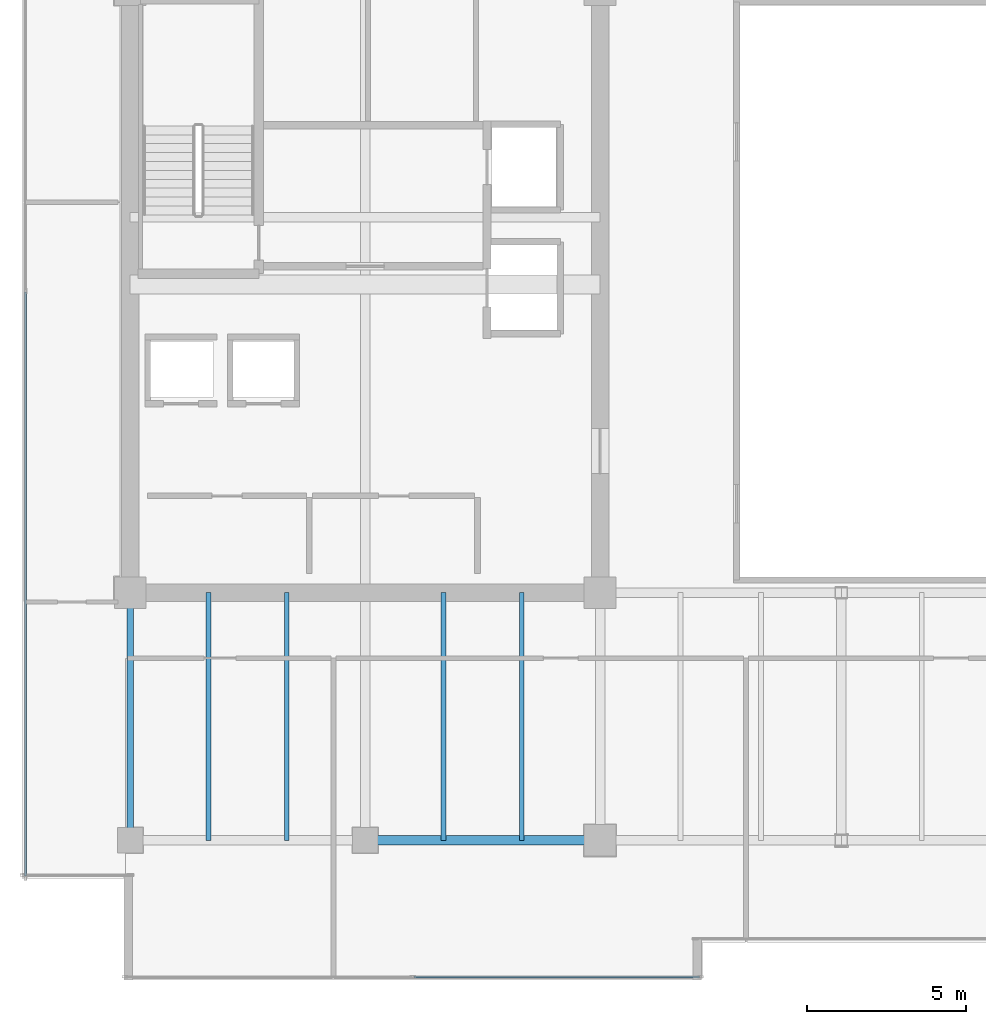
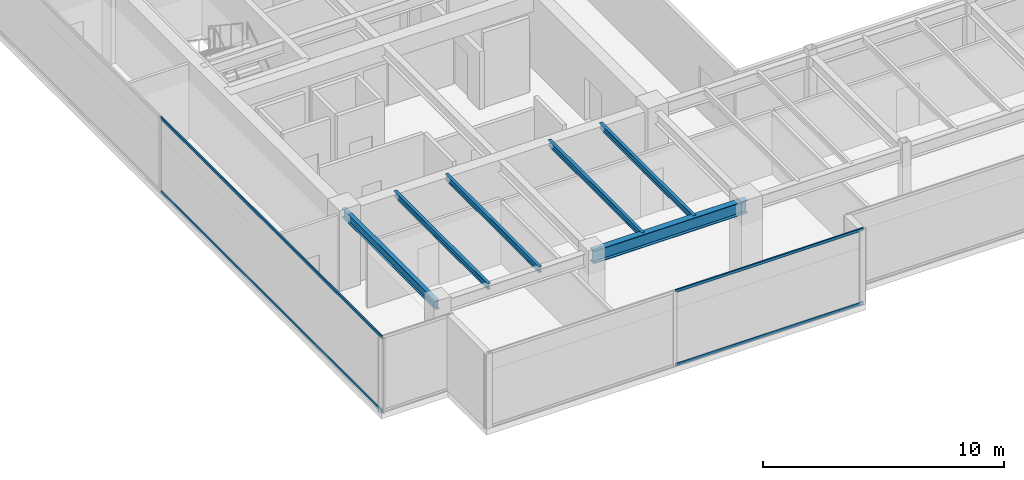
# One storey, part 6 of 35: 6 beams, 4 members, 2 elements without a shape of their own.
"""IFC4 building model written with IfcOpenShell, lengths in metres."""

from ifc_helpers import new_model, si_unit, direction, frame, origin, origin_2d, place, context, subcontext, project, spatial, hollow_rectangle, i_section, extrude, source, transform, mapped, material, layer, layer_set, material_profile, profile_set, type_object, type_shapes, element, aggregate, save


model = new_model("IFC4")

# Units and contexts
model_context = context("Model", 3, precision=1e-05, world=origin(), true_north=direction((0.0, 1.0)))
body_context = subcontext(model_context, "Body", "Model", "MODEL_VIEW")
ifc_project = project(units=[si_unit("LENGTHUNIT", "METRE"), si_unit("AREAUNIT", "SQUARE_METRE"), si_unit("VOLUMEUNIT", "CUBIC_METRE"), si_unit("PLANEANGLEUNIT", "RADIAN"), si_unit("MASSUNIT", "GRAM", prefix="KILO")], contexts=[model_context])

# Site, building, storey
site_placement = place(None, origin())
site = spatial("IfcSite", under=ifc_project, at=site_placement, CompositionType="ELEMENT")
building_placement = place(site_placement, origin())
building = spatial("IfcBuilding", under=site, at=building_placement, Name="Haelvirn Gate Laboratories", CompositionType="ELEMENT")
storey_placement = place(building_placement, frame((0.0, 0.0, 221.89990234375)))
storey = spatial("IfcBuildingStorey", under=building, at=storey_placement, Name="L53", CompositionType="ELEMENT", Elevation=221.89990234375)

# Beams
ifc_material_1 = material(Name="Steel SM355", Category="steel")
ifc_material_profile_1 = material_profile(ifc_material_1, i_section(OverallWidth=0.14990234375, OverallDepth=0.300048828125, WebThickness=0.006591796875, FlangeThickness=0.009033203125, at=origin_2d()), Name="H-300x150x6.5x9")
ifc_profile_set_1 = profile_set([ifc_material_profile_1], Name="Steel SM355")
beam_type_1 = type_object("IfcBeamType", Name="BM-J-300", PredefinedType="JOIST", material=ifc_profile_set_1)
shared_shape_1 = source(origin(), body_context, "Body", "SweptSolid", [
    extrude(i_section(OverallWidth=0.14990234375, OverallDepth=0.300048828125, WebThickness=0.006591796875, FlangeThickness=0.009033203125, at=origin_2d()), origin(), (0.0, 0.0, 1.0), 7.800048828125),
])
type_shapes(beam_type_1, [shared_shape_1])
for number, where, z_axis, x_axis, name in (
    (1, (9.8701171875, 7.0, 3.650146484375), (0.0, 1.0, 0.0), (-1.0, 0.0, 0.0), "L53 Composite Lab Joist South X9.87"),
    (2, (12.330078125, 7.0, 3.650146484375), (0.0, 1.0, 0.0), (-1.0, 0.0, 0.0), "L53 Composite Lab Joist South X12.33"),
    (3, (17.27001953125, 7.0, 3.650146484375), (0.0, 1.0, 0.0), (-1.0, 0.0, 0.0), "L53 Composite Lab Joist South X17.27"),
    (4, (19.72998046875, 7.0, 3.650146484375), (0.0, 1.0, 0.0), (-1.0, 0.0, 0.0), "L53 Composite Lab Joist South X19.73"),
):
    element("IfcBeam", number, at=place(storey_placement, frame(where, z_axis=z_axis, x_axis=x_axis)), inside=storey, type_object=beam_type_1, Name=name, PredefinedType="JOIST", context=body_context, shape_type="MappedRepresentation", body=[
        mapped(shared_shape_1, transform((0.0, 0.0, 0.0), scale=1.0)),
    ])
ifc_material_profile_2 = material_profile(ifc_material_1, i_section(OverallWidth=0.300048828125, OverallDepth=0.64990234375, WebThickness=0.012939453125, FlangeThickness=0.02197265625, at=origin_2d()), Name="H-650x300x13x22")
ifc_profile_set_2 = profile_set([ifc_material_profile_2], Name="Steel SM355")
beam_type_2 = type_object("IfcBeamType", Name="BM-G-650", PredefinedType="BEAM", material=ifc_profile_set_2)
shared_shape_2 = source(origin(), body_context, "Body", "SweptSolid", [
    extrude(i_section(OverallWidth=0.300048828125, OverallDepth=0.64990234375, WebThickness=0.012939453125, FlangeThickness=0.02197265625, at=origin_2d()), origin(), (0.0, 0.0, 1.0), 7.39990234375),
])
type_shapes(beam_type_2, [shared_shape_2])
beam_1_placement = place(storey_placement, frame((14.800048828125, 7.0, 3.47509765625), z_axis=(1.0, 0.0, 0.0), x_axis=(0.0, 1.0, 0.0)))
element("IfcBeam", 5, at=beam_1_placement, inside=storey, type_object=beam_type_2, Name="L53 Primary Girder Y7.0 (14.8-22.2)", PredefinedType="BEAM", context=body_context, shape_type="MappedRepresentation", body=[
    mapped(shared_shape_2, transform((0.0, 0.0, 0.0), scale=1.0)),
])
ifc_material_profile_3 = material_profile(ifc_material_1, i_section(OverallWidth=0.199951171875, OverallDepth=0.449951171875, WebThickness=0.009033203125, FlangeThickness=0.013916015625, at=origin_2d()), Name="H-450x200x9x14")
ifc_profile_set_3 = profile_set([ifc_material_profile_3], Name="Steel SM355")
beam_type_3 = type_object("IfcBeamType", Name="BM-SP-450", PredefinedType="SPANDREL", material=ifc_profile_set_3)
shared_shape_3 = source(origin(), body_context, "Body", "SweptSolid", [
    extrude(i_section(OverallWidth=0.199951171875, OverallDepth=0.449951171875, WebThickness=0.009033203125, FlangeThickness=0.013916015625, at=origin_2d()), origin(), (0.0, 0.0, 1.0), 7.800048828125),
])
type_shapes(beam_type_3, [shared_shape_3])
beam_2_placement = place(storey_placement, frame((7.39990234375, 7.0, 3.5751953125), z_axis=(0.0, 1.0, 0.0), x_axis=(-1.0, 0.0, 0.0)))
element("IfcBeam", 6, at=beam_2_placement, inside=storey, type_object=beam_type_3, Name="L53 Perimeter Spandrel X7.4 (7.0-14.8)", PredefinedType="SPANDREL", context=body_context, shape_type="MappedRepresentation", body=[
    mapped(shared_shape_3, transform((0.0, 0.0, 0.0), scale=1.0)),
])

# Curtain wall, members
ifc_material_2 = material(Name="Anodised bronze unitised aluminium & triple low-E glass", Category="aluminium")
ifc_layer = layer(ifc_material_2, 0.176025390625, Name="CW-SYS-4")
ifc_layer_set = layer_set([ifc_layer], Name="Anodised bronze unitised aluminium & triple low-E glass")
curtain_wall_type = type_object("IfcCurtainWallType", Name="CW-SYS-4", PredefinedType="NOTDEFINED", material=ifc_layer_set)
curtain_wall_1_placement = place(storey_placement, origin())
curtain_wall_1 = element("IfcCurtainWall", 7, at=curtain_wall_1_placement, inside=storey, type_object=curtain_wall_type, Name="L53 Unitised Curtain Wall CW-L53-P0-E00-1", PredefinedType="NOTDEFINED")
ifc_material_3 = material(Name="Extruded aluminium 6063-T6 (anodised bronze)", Category="aluminium")
ifc_material_profile_4 = material_profile(ifc_material_3, hollow_rectangle(XDim=0.06494140625, YDim=0.139892578125, WallThickness=0.00390625, at=origin_2d()), Name="CWT-140x65x4")
ifc_profile_set_4 = profile_set([ifc_material_profile_4], Name="Extruded aluminium 6063-T6 (anodised bronze)")
member_type = type_object("IfcMemberType", Name="CWT-T140", PredefinedType="USERDEFINED", material=ifc_profile_set_4)
shared_shape_4 = source(origin(), body_context, "Body", "SweptSolid", [
    extrude(hollow_rectangle(XDim=0.06494140625, YDim=0.139892578125, WallThickness=0.00390625, at=origin_2d()), origin(), (0.0, 0.0, 1.0), 8.9951171875),
])
member_1_placement = place(storey_placement, frame((16.3349609375, 2.699951171875, 0.03271484375), z_axis=(1.0, 0.0, 0.0), x_axis=(0.0, 1.0, 0.0)))
member_1 = element("IfcMember", 8, at=member_1_placement, type_object=member_type, Name="CW4 transom 2.1", ObjectType="TRANSOM", PredefinedType="USERDEFINED", context=body_context, shape_type="MappedRepresentation", body=[
    mapped(shared_shape_4, transform((0.0, 0.0, 0.0), scale=1.0)),
])
member_2_placement = place(storey_placement, frame((16.3349609375, 2.699951171875, 3.767578125), z_axis=(1.0, 0.0, 0.0), x_axis=(0.0, 1.0, 0.0)))
member_2 = element("IfcMember", 9, at=member_2_placement, type_object=member_type, Name="CW4 transom 2.2", ObjectType="TRANSOM", PredefinedType="USERDEFINED", context=body_context, shape_type="MappedRepresentation", body=[
    mapped(shared_shape_4, transform((0.0, 0.0, 0.0), scale=1.0)),
])
aggregate(curtain_wall_1, [member_1, member_2])

curtain_wall_2_placement = place(storey_placement, origin())
curtain_wall_2 = element("IfcCurtainWall", 10, at=curtain_wall_2_placement, inside=storey, type_object=curtain_wall_type, Name="L53 Unitised Curtain Wall CW-L53-P0-E17", PredefinedType="NOTDEFINED")
shared_shape_5 = source(origin(), body_context, "Body", "SweptSolid", [
    extrude(hollow_rectangle(XDim=0.06494140625, YDim=0.139892578125, WallThickness=0.00390625, at=origin_2d()), origin(), (0.0, 0.0, 1.0), 18.394775390625),
])
type_shapes(member_type, [shared_shape_4, shared_shape_5])
member_3_placement = place(storey_placement, frame((4.10009765625, 24.264892578125, 0.03271484375), z_axis=(0.0, -1.0, 0.0), x_axis=(1.0, 0.0, 0.0)))
member_3 = element("IfcMember", 11, at=member_3_placement, type_object=member_type, Name="CW4 transom 2.1", ObjectType="TRANSOM", PredefinedType="USERDEFINED", context=body_context, shape_type="MappedRepresentation", body=[
    mapped(shared_shape_5, transform((0.0, 0.0, 0.0), scale=1.0)),
])
member_4_placement = place(storey_placement, frame((4.10009765625, 24.264892578125, 3.767578125), z_axis=(0.0, -1.0, 0.0), x_axis=(1.0, 0.0, 0.0)))
member_4 = element("IfcMember", 12, at=member_4_placement, type_object=member_type, Name="CW4 transom 2.2", ObjectType="TRANSOM", PredefinedType="USERDEFINED", context=body_context, shape_type="MappedRepresentation", body=[
    mapped(shared_shape_5, transform((0.0, 0.0, 0.0), scale=1.0)),
])
aggregate(curtain_wall_2, [member_3, member_4])

save(model, "model.ifc")
